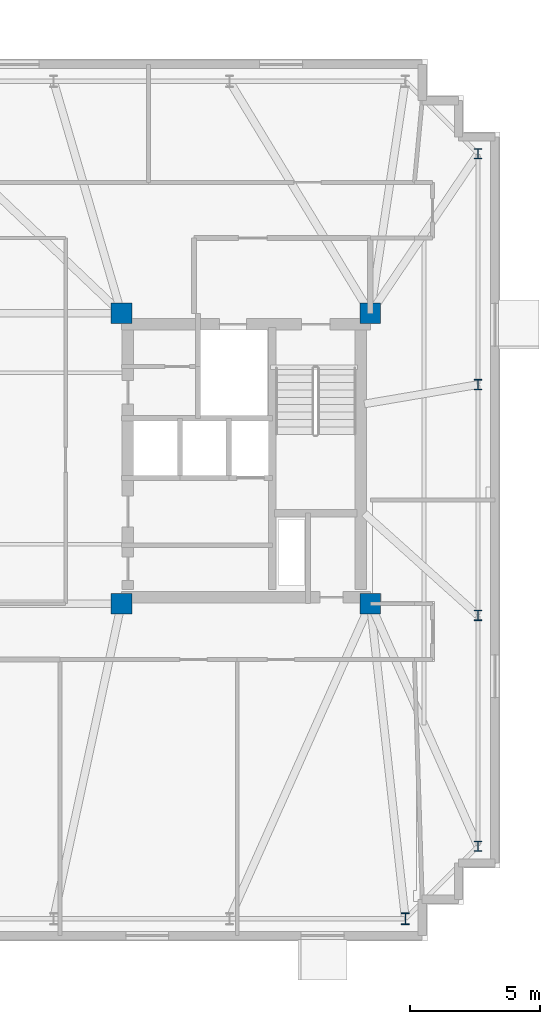
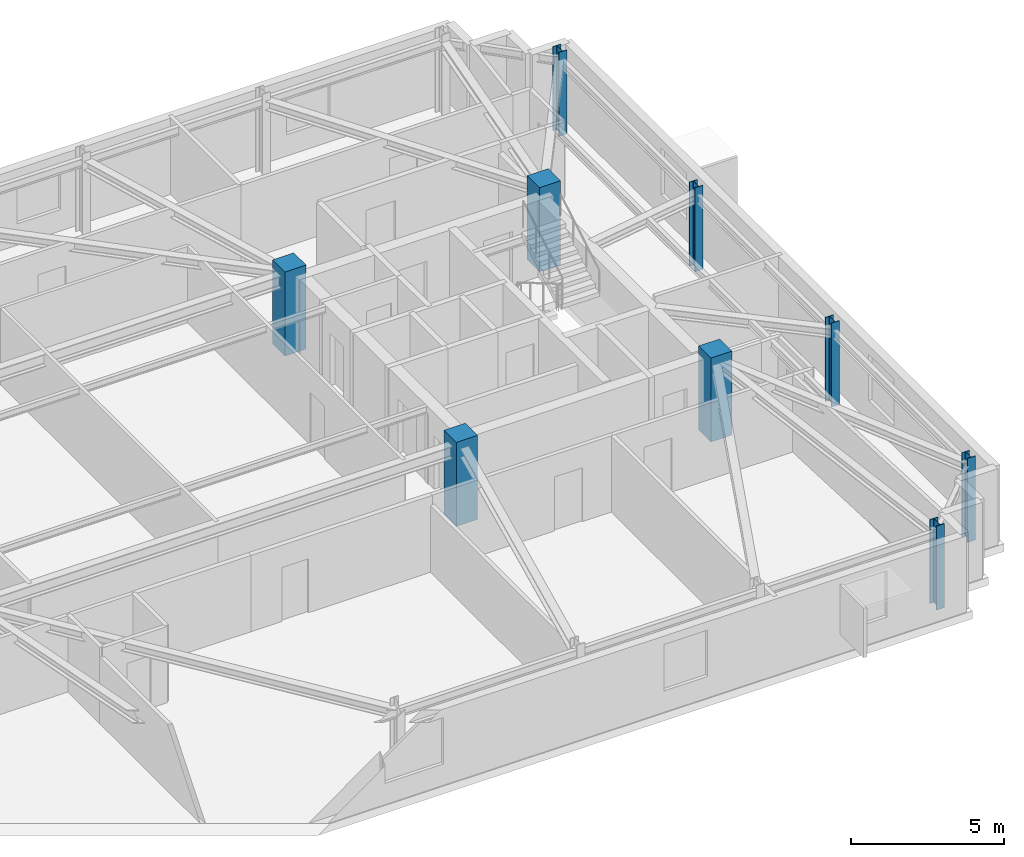
# One storey, part 2 of 10: 9 columns.
"""IFC4 building model written with IfcOpenShell, lengths in metres."""

from ifc_helpers import new_model, si_unit, direction, frame, origin, origin_2d, place, context, subcontext, project, spatial, rectangle, i_section, extrude, material, material_profile, profile_set, type_object, element, save


model = new_model("IFC4")

# Units and contexts
model_context = context("Model", 3, precision=1e-05, world=origin(), true_north=direction((0.0, 1.0)))
body_context = subcontext(model_context, "Body", "Model", "MODEL_VIEW")
ifc_project = project(units=[si_unit("LENGTHUNIT", "METRE"), si_unit("AREAUNIT", "SQUARE_METRE"), si_unit("VOLUMEUNIT", "CUBIC_METRE"), si_unit("PLANEANGLEUNIT", "RADIAN"), si_unit("MASSUNIT", "GRAM", prefix="KILO")], contexts=[model_context])

# Site, building, storey
site_placement = place(None, origin())
site = spatial("IfcSite", under=ifc_project, at=site_placement, CompositionType="ELEMENT")
building_placement = place(site_placement, origin())
building = spatial("IfcBuilding", under=site, at=building_placement, Name="Qobustan Lattice House", CompositionType="ELEMENT")
storey_placement = place(building_placement, frame((0.0, 0.0, 235.0)))
storey = spatial("IfcBuildingStorey", under=building, at=storey_placement, Name="L66", CompositionType="ELEMENT", Elevation=235.0)

# Columns
ifc_material_1 = material(Name="Concrete C50/60", Category="concrete")
ifc_material_profile_1 = material_profile(ifc_material_1, rectangle(XDim=0.800048828125, YDim=0.800048828125, at=origin_2d()), Name="RC800x800")
ifc_profile_set_1 = profile_set([ifc_material_profile_1], Name="Concrete C50/60")
column_type_1 = type_object("IfcColumnType", Name="COL-RC-800", PredefinedType="COLUMN", material=ifc_profile_set_1)
for number, where, z_axis, x_axis, name in (
    (1, (9.199951171875, -5.60009765625, 0.0), (0.0, 0.0, 1.0), (1.0, 0.0, 0.0), "L66 core mega-column CE-SW"),
    (2, (9.199951171875, 5.60009765625, 0.0), (0.0, 0.0, 1.0), (1.0, 0.0, 0.0), "L66 core mega-column CE-NW"),
    (3, (18.800048828125, -5.60009765625, 0.0), (0.0, 0.0, 1.0), (1.0, 0.0, 0.0), "L66 core mega-column CE-SE"),
    (4, (18.800048828125, 5.60009765625, 0.0), (0.0, 0.0, 1.0), (1.0, 0.0, 0.0), "L66 core mega-column CE-NE"),
):
    element("IfcColumn", number, at=place(storey_placement, frame(where, z_axis=z_axis, x_axis=x_axis)), inside=storey, type_object=column_type_1, Name=name, PredefinedType="COLUMN", context=body_context, shape_type="SweptSolid", body=[
        extrude(rectangle(XDim=0.800048828125, YDim=0.800048828125, at=origin_2d()), origin(), (0.0, 0.0, 1.0), 3.35009765625),
    ])
ifc_material_2 = material(Name="Steel S355", Category="steel")
ifc_material_profile_2 = material_profile(ifc_material_2, i_section(OverallWidth=0.300048828125, OverallDepth=0.39990234375, WebThickness=0.013427734375, FlangeThickness=0.02392578125, FilletRadius=0.027099609375, at=origin_2d()), Name="HEB400")
ifc_profile_set_2 = profile_set([ifc_material_profile_2], Name="Steel S355")
column_type_2 = type_object("IfcColumnType", Name="COL-ST-HEB400", PredefinedType="COLUMN", material=ifc_profile_set_2)
for number, where, z_axis, x_axis, name in (
    (5, (22.949951171875, -14.949951171875, 0.0), (0.0, 0.0, 1.0), (1.0, 0.0, 0.0), "L66 B5 perimeter column E1"),
    (6, (22.949951171875, -6.050048828125, 0.0), (0.0, 0.0, 1.0), (1.0, 0.0, 0.0), "L66 B5 perimeter column E2"),
    (7, (22.949951171875, 2.85009765625, 0.0), (0.0, 0.0, 1.0), (1.0, 0.0, 0.0), "L66 B5 perimeter column E3"),
    (8, (22.949951171875, 11.75, 0.0), (0.0, 0.0, 1.0), (1.0, 0.0, 0.0), "L66 B5 perimeter column E4"),
):
    element("IfcColumn", number, at=place(storey_placement, frame(where, z_axis=z_axis, x_axis=x_axis)), inside=storey, type_object=column_type_2, Name=name, PredefinedType="COLUMN", context=body_context, shape_type="SweptSolid", body=[
        extrude(i_section(OverallWidth=0.300048828125, OverallDepth=0.39990234375, WebThickness=0.013427734375, FlangeThickness=0.02392578125, FilletRadius=0.027099609375, at=origin_2d()), origin(), (0.0, 0.0, 1.0), 3.35009765625),
    ])
ifc_material_3 = material(Name="Steel S355", Category="steel")
ifc_material_profile_3 = material_profile(ifc_material_3, i_section(OverallWidth=0.300048828125, OverallDepth=0.449951171875, WebThickness=0.013916015625, FlangeThickness=0.02587890625, FilletRadius=0.027099609375, at=origin_2d()), Name="HEB450")
ifc_profile_set_3 = profile_set([ifc_material_profile_3], Name="Steel S355")
column_type_3 = type_object("IfcColumnType", Name="COL-ST-HEB450", PredefinedType="COLUMN", material=ifc_profile_set_3)
column_placement = place(storey_placement, frame((20.14990234375, -17.75, 0.0), z_axis=(0.0, 0.0, 1.0), x_axis=(1.0, 0.0, 0.0)))
element("IfcColumn", 9, at=column_placement, inside=storey, type_object=column_type_3, Name="L66 B5 perimeter column S7", PredefinedType="COLUMN", context=body_context, shape_type="SweptSolid", body=[
    extrude(i_section(OverallWidth=0.300048828125, OverallDepth=0.449951171875, WebThickness=0.013916015625, FlangeThickness=0.02587890625, FilletRadius=0.027099609375, at=origin_2d()), origin(), (0.0, 0.0, 1.0), 3.35009765625),
])

save(model, "model.ifc")
